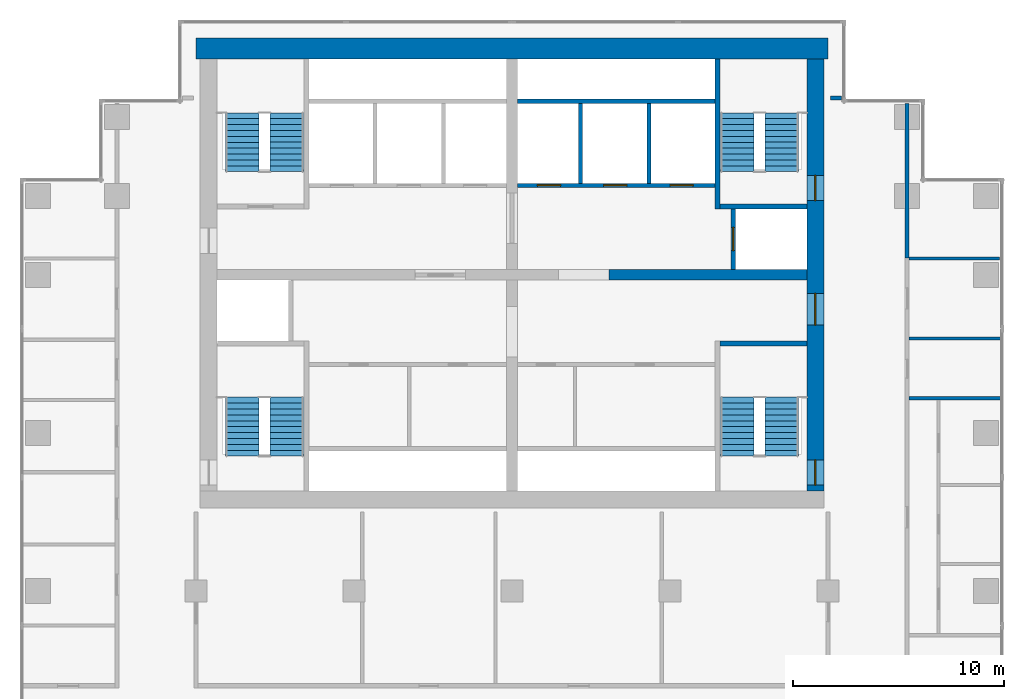
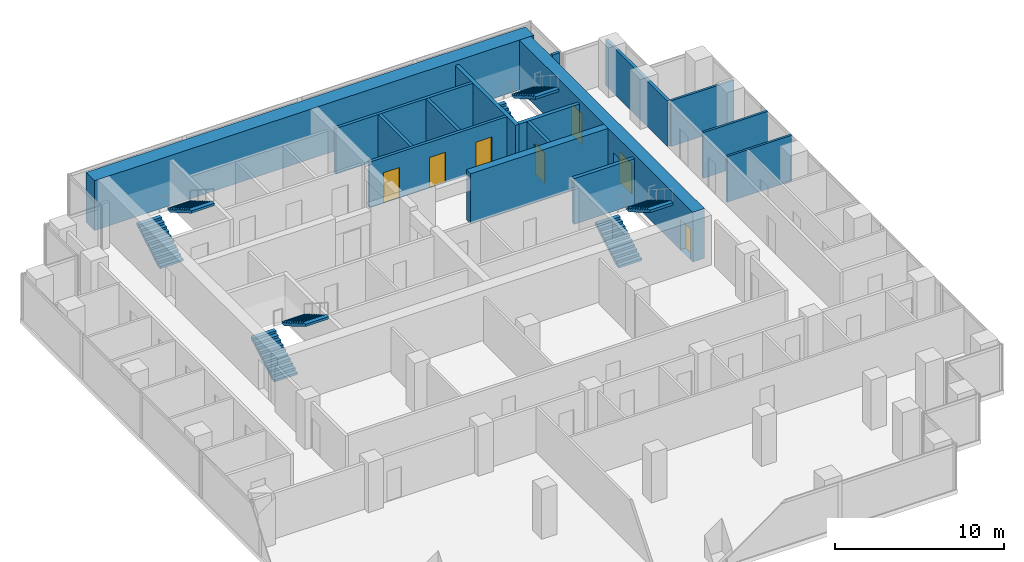
# One storey, part 9 of 10: 16 walls, 8 stair flights, 7 doors, 7 openings, 4 elements without a shape of their own.
"""IFC4 building model written with IfcOpenShell, lengths in metres."""

from ifc_helpers import new_model, si_unit, direction, frame, frame_2d, origin, place, context, subcontext, project, spatial, polyline, rectangle, outline, extrude, material, layer, layer_set, type_object, element, fill, aggregate, save


model = new_model("IFC4")

# Units and contexts
model_context = context("Model", 3, precision=1e-05, world=origin(), true_north=direction((0.0, 1.0)))
body_context = subcontext(model_context, "Body", "Model", "MODEL_VIEW")
ifc_project = project(units=[si_unit("LENGTHUNIT", "METRE"), si_unit("AREAUNIT", "SQUARE_METRE"), si_unit("VOLUMEUNIT", "CUBIC_METRE"), si_unit("PLANEANGLEUNIT", "RADIAN"), si_unit("MASSUNIT", "GRAM", prefix="KILO")], contexts=[model_context])

# Site, building, storey
site_placement = place(None, origin())
site = spatial("IfcSite", under=ifc_project, at=site_placement, CompositionType="ELEMENT")
building_placement = place(site_placement, origin())
building = spatial("IfcBuilding", under=site, at=building_placement, Name="Pilkhan Gate Tower", CompositionType="ELEMENT")
storey_placement = place(building_placement, frame((0.0, 0.0, 158.5)))
storey = spatial("IfcBuildingStorey", under=building, at=storey_placement, Name="L40", CompositionType="ELEMENT", Elevation=158.5)

# Wall
ifc_material_1 = material(Name="Concrete C60/75", Category="concrete")
ifc_layer_1 = layer(ifc_material_1, 1.0)
ifc_layer_set_1 = layer_set([ifc_layer_1], Name="Core wall CW1000 C60/75")
wall_type_1 = type_object("IfcWallType", Name="Core wall CW1000 C60/75", PredefinedType="SHEAR", material=ifc_layer_set_1)
wall_1_placement = place(storey_placement, frame((90.0, 93.25, 0.0), z_axis=(0.0, 0.0, 1.0), x_axis=(-1.0, 0.0, 0.0)))
element("IfcWall", 1, at=wall_1_placement, inside=storey, type_object=wall_type_1, Name="Core wall N L40", PredefinedType="SHEAR", context=body_context, shape_type="SweptSolid", body=[
    extrude(rectangle(XDim=30.0, YDim=1.0, at=frame_2d((15.0, 0.0))), origin(), (0.0, 0.0, 1.0), 3.60009765625),
])

# Wall, openings, doors
ifc_layer_2 = layer(ifc_material_1, 0.800048828125)
ifc_layer_set_2 = layer_set([ifc_layer_2], Name="Core wall CW800 C60/75")
wall_type_2 = type_object("IfcWallType", Name="Core wall CW800 C60/75", PredefinedType="SHEAR", material=ifc_layer_set_2)
wall_2_placement = place(storey_placement, frame((89.39990234375, 72.25, 0.0), z_axis=(0.0, 0.0, 1.0), x_axis=(0.0, 1.0, 0.0)))
wall_2 = element("IfcWall", 2, at=wall_2_placement, inside=storey, type_object=wall_type_2, Name="Core wall E L40", PredefinedType="SHEAR", context=body_context, shape_type="SweptSolid", body=[
    extrude(rectangle(XDim=20.5, YDim=0.800048828125, at=frame_2d((10.25, 0.0))), origin(), (0.0, 0.0, 1.0), 3.60009765625),
])
opening_1_placement = place(wall_2_placement, frame((0.27490234375, 0.0, 0.0)))
opening_1 = element("IfcOpeningElement", 3, at=opening_1_placement, cuts=wall_2, Name="Opening L40-03", PredefinedType="OPENING", context=body_context, shape_type="SweptSolid", body=[
    extrude(rectangle(XDim=1.199951171875, YDim=2.199951171875, at=frame_2d((0.60009765625, 1.10009765625))), frame((0.0, 0.409912109375, 0.0), z_axis=(0.0, -1.0, 0.0), x_axis=(1.0, 0.0, 0.0)), (0.0, 0.0, 1.0), 0.820068359375),
])
opening_2_placement = place(wall_2_placement, frame((13.77490234375, 0.0, 0.0)))
opening_2 = element("IfcOpeningElement", 4, at=opening_2_placement, cuts=wall_2, Name="Opening L40-05", PredefinedType="OPENING", context=body_context, shape_type="SweptSolid", body=[
    extrude(rectangle(XDim=1.199951171875, YDim=2.199951171875, at=frame_2d((0.60009765625, 1.10009765625))), frame((0.0, 0.409912109375, 0.0), z_axis=(0.0, -1.0, 0.0), x_axis=(1.0, 0.0, 0.0)), (0.0, 0.0, 1.0), 0.820068359375),
])
opening_3_placement = place(wall_2_placement, frame((7.875, 0.0, 0.0)))
opening_3 = element("IfcOpeningElement", 5, at=opening_3_placement, cuts=wall_2, Name="Opening L40-12", PredefinedType="OPENING", context=body_context, shape_type="SweptSolid", body=[
    extrude(rectangle(XDim=1.5, YDim=2.199951171875, at=frame_2d((0.75, 1.10009765625))), frame((0.0, 0.409912109375, 0.0), z_axis=(0.0, -1.0, 0.0), x_axis=(1.0, 0.0, 0.0)), (0.0, 0.0, 1.0), 0.820068359375),
])
ifc_material_2 = material(Name="Steel framed glazed door, 60 minute fire resisting", Category="steel")
door_type_1 = type_object("IfcDoorType", Name="Lobby door D09 1500x2200", OperationType="DOUBLE_DOOR_SINGLE_SWING", PredefinedType="DOOR", material=ifc_material_2)
door_1_placement = place(opening_3_placement, origin())
door_1 = element("IfcDoor", 6, at=door_1_placement, inside=storey, type_object=door_type_1, Name="Core door", OperationType="DOUBLE_DOOR_SINGLE_SWING", OverallHeight=2.199951171875, OverallWidth=1.5, PredefinedType="DOOR", context=body_context, shape_type="SweptSolid", body=[
    extrude(rectangle(XDim=1.5, YDim=2.199951171875, at=frame_2d((0.75, 1.10009765625))), frame((0.0, 0.02490234375, 0.0), z_axis=(0.0, -1.0, 0.0), x_axis=(1.0, 0.0, 0.0)), (0.0, 0.0, 1.0), 0.050048828125),
])
fill(opening_3, door_1)
ifc_material_3 = material(Name="Steel door, 120 minute fire resisting, panic bar", Category="steel")
door_type_2 = type_object("IfcDoorType", Name="Stair door D11 1200x2200", OperationType="SINGLE_SWING_LEFT", PredefinedType="DOOR", material=ifc_material_3)
door_2_placement = place(opening_1_placement, origin())
door_2 = element("IfcDoor", 7, at=door_2_placement, inside=storey, type_object=door_type_2, Name="Stair ST1 door", OperationType="SINGLE_SWING_LEFT", OverallHeight=2.199951171875, OverallWidth=1.199951171875, PredefinedType="DOOR", context=body_context, shape_type="SweptSolid", body=[
    extrude(rectangle(XDim=1.199951171875, YDim=2.199951171875, at=frame_2d((0.60009765625, 1.10009765625))), frame((0.0, 0.02490234375, 0.0), z_axis=(0.0, -1.0, 0.0), x_axis=(1.0, 0.0, 0.0)), (0.0, 0.0, 1.0), 0.050048828125),
])
fill(opening_1, door_2)
door_3_placement = place(opening_2_placement, origin())
door_3 = element("IfcDoor", 8, at=door_3_placement, inside=storey, type_object=door_type_2, Name="Stair ST4 door", OperationType="SINGLE_SWING_LEFT", OverallHeight=2.199951171875, OverallWidth=1.199951171875, PredefinedType="DOOR", context=body_context, shape_type="SweptSolid", body=[
    extrude(rectangle(XDim=1.199951171875, YDim=2.199951171875, at=frame_2d((0.60009765625, 1.10009765625))), frame((0.0, 0.02490234375, 0.0), z_axis=(0.0, -1.0, 0.0), x_axis=(1.0, 0.0, 0.0)), (0.0, 0.0, 1.0), 0.050048828125),
])
fill(opening_2, door_3)

# Walls
ifc_material_4 = material(Name="Dense blockwork", Category="masonry")
ifc_layer_3 = layer(ifc_material_4, 0.199951171875)
ifc_layer_set_3 = layer_set([ifc_layer_3], Name="Corridor wall FW200")
wall_type_3 = type_object("IfcWallType", Name="Corridor wall FW200", PredefinedType="PARTITIONING", material=ifc_layer_set_3)
wall_3_placement = place(storey_placement, frame((90.1201171875, 90.89990234375, 0.0), z_axis=(0.0, 0.0, 1.0), x_axis=(1.0, 0.0, 0.0)))
element("IfcWall", 9, at=wall_3_placement, inside=storey, type_object=wall_type_3, Name="Partition L40", PredefinedType="PARTITIONING", context=body_context, shape_type="SweptSolid", body=[
    extrude(rectangle(XDim=0.52490234375, YDim=0.199951171875, at=frame_2d((0.262451171875, 0.0))), origin(), (0.0, 0.0, 1.0), 3.300048828125),
])
wall_4_placement = place(storey_placement, frame((93.75, 83.31005859375, 0.0), z_axis=(0.0, 0.0, 1.0), x_axis=(0.0, 1.0, 0.0)))
element("IfcWall", 10, at=wall_4_placement, inside=storey, type_object=wall_type_3, Name="Partition L40", PredefinedType="PARTITIONING", context=body_context, shape_type="SweptSolid", body=[
    extrude(rectangle(XDim=7.3349609375, YDim=0.199951171875, at=frame_2d((3.66748046875, 0.0))), origin(), (0.0, 0.0, 1.0), 3.300048828125),
])
ifc_material_5 = material(Name="Blockwork partition, plastered both sides", Category="masonry")
ifc_layer_4 = layer(ifc_material_5, 0.14990234375)
ifc_layer_set_4 = layer_set([ifc_layer_4], Name="Partition PW150")
wall_type_4 = type_object("IfcWallType", Name="Partition PW150", PredefinedType="PARTITIONING", material=ifc_layer_set_4)
for number, where, z_axis, x_axis, name in (
    (11, (93.85009765625, 76.64990234375, 0.0), (0.0, 0.0, 1.0), (1.0, 0.0, 0.0), "Partition L40"),
    (12, (93.85009765625, 79.490966796875, 0.0), (0.0, 0.0, 1.0), (1.0, 0.0, 0.0), "Partition L40"),
):
    element("IfcWall", number, at=place(storey_placement, frame(where, z_axis=z_axis, x_axis=x_axis)), inside=storey, type_object=wall_type_4, Name=name, PredefinedType="PARTITIONING", context=body_context, shape_type="SweptSolid", body=[
        extrude(rectangle(XDim=4.414794921875, YDim=0.14990234375, at=frame_2d((2.20751953125, 0.0))), origin(), (0.0, 0.0, 1.0), 3.300048828125),
    ])
wall_5_placement = place(storey_placement, frame((93.85009765625, 83.280029296875, 0.0), z_axis=(0.0, 0.0, 1.0), x_axis=(1.0, 0.0, 0.0)))
element("IfcWall", 13, at=wall_5_placement, inside=storey, type_object=wall_type_4, Name="Partition L40", PredefinedType="PARTITIONING", context=body_context, shape_type="SweptSolid", body=[
    extrude(rectangle(XDim=4.294921875, YDim=0.14990234375, at=frame_2d((2.1474609375, 0.0))), origin(), (0.0, 0.0, 1.0), 3.300048828125),
])

# Wall, openings, doors
ifc_material_6 = material(Name="Reinforced blockwork shaft wall, 120 minute fire resisting", Category="masonry")
ifc_layer_5 = layer(ifc_material_6, 0.199951171875)
ifc_layer_set_5 = layer_set([ifc_layer_5], Name="Shaft wall SW200")
wall_type_5 = type_object("IfcWallType", Name="Shaft wall SW200", PredefinedType="PARTITIONING", material=ifc_layer_set_5)
wall_6_placement = place(storey_placement, frame((75.260009765625, 86.75, 0.0), z_axis=(0.0, 0.0, 1.0), x_axis=(1.0, 0.0, 0.0)))
wall_6 = element("IfcWall", 14, at=wall_6_placement, inside=storey, type_object=wall_type_5, Name="Partition L40", PredefinedType="PARTITIONING", context=body_context, shape_type="SweptSolid", body=[
    extrude(rectangle(XDim=9.364990234375, YDim=0.199951171875, at=frame_2d((4.6826171875, 0.0))), origin(), (0.0, 0.0, 1.0), 3.300048828125),
])
opening_4_placement = place(wall_6_placement, frame((0.949951171875, 0.0, 0.0)))
opening_4 = element("IfcOpeningElement", 15, at=opening_4_placement, cuts=wall_6, Name="Opening LD", PredefinedType="OPENING", context=body_context, shape_type="SweptSolid", body=[
    extrude(rectangle(XDim=1.10009765625, YDim=2.199951171875, at=frame_2d((0.550048828125, 1.10009765625))), frame((0.0, 0.10986328125, 0.0), z_axis=(0.0, -1.0, 0.0), x_axis=(1.0, 0.0, 0.0)), (0.0, 0.0, 1.0), 0.219970703125),
])
opening_5_placement = place(wall_6_placement, frame((4.090087890625, 0.0, 0.0)))
opening_5 = element("IfcOpeningElement", 16, at=opening_5_placement, cuts=wall_6, Name="Opening LD", PredefinedType="OPENING", context=body_context, shape_type="SweptSolid", body=[
    extrude(rectangle(XDim=1.10009765625, YDim=2.199951171875, at=frame_2d((0.550048828125, 1.10009765625))), frame((0.0, 0.10986328125, 0.0), z_axis=(0.0, -1.0, 0.0), x_axis=(1.0, 0.0, 0.0)), (0.0, 0.0, 1.0), 0.219970703125),
])
opening_6_placement = place(wall_6_placement, frame((7.239990234375, 0.0, 0.0)))
opening_6 = element("IfcOpeningElement", 17, at=opening_6_placement, cuts=wall_6, Name="Opening LD", PredefinedType="OPENING", context=body_context, shape_type="SweptSolid", body=[
    extrude(rectangle(XDim=1.10009765625, YDim=2.199951171875, at=frame_2d((0.550048828125, 1.10009765625))), frame((0.0, 0.10986328125, 0.0), z_axis=(0.0, -1.0, 0.0), x_axis=(1.0, 0.0, 0.0)), (0.0, 0.0, 1.0), 0.219970703125),
])
ifc_material_7 = material(Name="Stainless steel centre-opening landing door, 120 minute fire resisting", Category="steel")
door_type_3 = type_object("IfcDoorType", Name="Lift landing door LD 1100x2200", OperationType="DOUBLE_DOOR_SLIDING", PredefinedType="DOOR", material=ifc_material_7)
door_4_placement = place(opening_4_placement, origin())
door_4 = element("IfcDoor", 18, at=door_4_placement, inside=storey, type_object=door_type_3, Name="Landing door HR1", OperationType="DOUBLE_DOOR_SLIDING", OverallHeight=2.199951171875, OverallWidth=1.10009765625, PredefinedType="DOOR", context=body_context, shape_type="SweptSolid", body=[
    extrude(rectangle(XDim=1.10009765625, YDim=2.199951171875, at=frame_2d((0.550048828125, 1.10009765625))), frame((0.0, 0.02490234375, 0.0), z_axis=(0.0, -1.0, 0.0), x_axis=(1.0, 0.0, 0.0)), (0.0, 0.0, 1.0), 0.050048828125),
])
fill(opening_4, door_4)
door_5_placement = place(opening_5_placement, origin())
door_5 = element("IfcDoor", 19, at=door_5_placement, inside=storey, type_object=door_type_3, Name="Landing door HR2", OperationType="DOUBLE_DOOR_SLIDING", OverallHeight=2.199951171875, OverallWidth=1.10009765625, PredefinedType="DOOR", context=body_context, shape_type="SweptSolid", body=[
    extrude(rectangle(XDim=1.10009765625, YDim=2.199951171875, at=frame_2d((0.550048828125, 1.10009765625))), frame((0.0, 0.02490234375, 0.0), z_axis=(0.0, -1.0, 0.0), x_axis=(1.0, 0.0, 0.0)), (0.0, 0.0, 1.0), 0.050048828125),
])
fill(opening_5, door_5)
door_6_placement = place(opening_6_placement, origin())
door_6 = element("IfcDoor", 20, at=door_6_placement, inside=storey, type_object=door_type_3, Name="Landing door HR3", OperationType="DOUBLE_DOOR_SLIDING", OverallHeight=2.199951171875, OverallWidth=1.10009765625, PredefinedType="DOOR", context=body_context, shape_type="SweptSolid", body=[
    extrude(rectangle(XDim=1.10009765625, YDim=2.199951171875, at=frame_2d((0.550048828125, 1.10009765625))), frame((0.0, 0.02490234375, 0.0), z_axis=(0.0, -1.0, 0.0), x_axis=(1.0, 0.0, 0.0)), (0.0, 0.0, 1.0), 0.050048828125),
])
fill(opening_6, door_6)

# Walls
wall_7_placement = place(storey_placement, frame((75.260009765625, 90.75, 0.0), z_axis=(0.0, 0.0, 1.0), x_axis=(1.0, 0.0, 0.0)))
element("IfcWall", 21, at=wall_7_placement, inside=storey, type_object=wall_type_5, Name="Partition L40", PredefinedType="PARTITIONING", context=body_context, shape_type="SweptSolid", body=[
    extrude(rectangle(XDim=9.364990234375, YDim=0.199951171875, at=frame_2d((4.6826171875, 0.0))), origin(), (0.0, 0.0, 1.0), 3.300048828125),
])
for number, where, z_axis, x_axis, name in (
    (22, (78.25, 86.85009765625, 0.0), (0.0, 0.0, 1.0), (0.0, 1.0, 0.0), "Partition L40"),
    (23, (81.5, 86.85009765625, 0.0), (0.0, 0.0, 1.0), (0.0, 1.0, 0.0), "Partition L40"),
):
    element("IfcWall", number, at=place(storey_placement, frame(where, z_axis=z_axis, x_axis=x_axis)), inside=storey, type_object=wall_type_5, Name=name, PredefinedType="PARTITIONING", context=body_context, shape_type="SweptSolid", body=[
        extrude(rectangle(XDim=3.7998046875, YDim=0.199951171875, at=frame_2d((1.89990234375, 0.0))), origin(), (0.0, 0.0, 1.0), 3.300048828125),
    ])

# Wall, opening, door
wall_8_placement = place(storey_placement, frame((85.5, 82.760009765625, 0.0), z_axis=(0.0, 0.0, 1.0), x_axis=(0.0, 1.0, 0.0)))
wall_8 = element("IfcWall", 24, at=wall_8_placement, inside=storey, type_object=wall_type_5, Name="Partition L40", PredefinedType="PARTITIONING", context=body_context, shape_type="SweptSolid", body=[
    extrude(rectangle(XDim=2.864990234375, YDim=0.199951171875, at=frame_2d((1.4326171875, 0.0))), origin(), (0.0, 0.0, 1.0), 3.300048828125),
])
opening_7_placement = place(wall_8_placement, frame((0.89990234375, 0.0, 0.0)))
opening_7 = element("IfcOpeningElement", 25, at=opening_7_placement, cuts=wall_8, Name="Opening LD", PredefinedType="OPENING", context=body_context, shape_type="SweptSolid", body=[
    extrude(rectangle(XDim=1.10009765625, YDim=2.199951171875, at=frame_2d((0.550048828125, 1.10009765625))), frame((0.0, 0.10986328125, 0.0), z_axis=(0.0, -1.0, 0.0), x_axis=(1.0, 0.0, 0.0)), (0.0, 0.0, 1.0), 0.219970703125),
])
door_7_placement = place(opening_7_placement, origin())
door_7 = element("IfcDoor", 26, at=door_7_placement, inside=storey, type_object=door_type_3, Name="Landing door HR4", OperationType="DOUBLE_DOOR_SLIDING", OverallHeight=2.199951171875, OverallWidth=1.10009765625, PredefinedType="DOOR", context=body_context, shape_type="SweptSolid", body=[
    extrude(rectangle(XDim=1.10009765625, YDim=2.199951171875, at=frame_2d((0.550048828125, 1.10009765625))), frame((0.0, 0.02490234375, 0.0), z_axis=(0.0, -1.0, 0.0), x_axis=(1.0, 0.0, 0.0)), (0.0, 0.0, 1.0), 0.050048828125),
])
fill(opening_7, door_7)

# Walls
ifc_layer_6 = layer(ifc_material_1, 0.5)
ifc_layer_set_6 = layer_set([ifc_layer_6], Name="Spine wall SW500 C60/75")
wall_type_6 = type_object("IfcWallType", Name="Spine wall SW500 C60/75", PredefinedType="SHEAR", material=ifc_layer_set_6)
wall_9_placement = place(storey_placement, frame((79.60009765625, 82.5, 0.0), z_axis=(0.0, 0.0, 1.0), x_axis=(1.0, 0.0, 0.0)))
element("IfcWall", 27, at=wall_9_placement, inside=storey, type_object=wall_type_6, Name="Spine wall SP-EW3 L40", PredefinedType="SHEAR", context=body_context, shape_type="SweptSolid", body=[
    extrude(rectangle(XDim=9.39990234375, YDim=0.5, at=frame_2d((4.699951171875, 0.0))), origin(), (0.0, 0.0, 1.0), 3.60009765625),
])
ifc_material_8 = material(Name="Reinforced blockwork, 120 minute fire resisting", Category="masonry")
ifc_layer_7 = layer(ifc_material_8, 0.25)
ifc_layer_set_7 = layer_set([ifc_layer_7], Name="Stair enclosure wall SE250")
wall_type_7 = type_object("IfcWallType", Name="Stair enclosure wall SE250", PredefinedType="PARTITIONING", material=ifc_layer_set_7)
for number, where, z_axis, x_axis, name in (
    (28, (84.875, 79.25, 0.0), (0.0, 0.0, 1.0), (1.0, 0.0, 0.0), "Partition L40"),
    (29, (84.875, 85.75, 0.0), (0.0, 0.0, 1.0), (1.0, 0.0, 0.0), "Partition L40"),
):
    element("IfcWall", number, at=place(storey_placement, frame(where, z_axis=z_axis, x_axis=x_axis)), inside=storey, type_object=wall_type_7, Name=name, PredefinedType="PARTITIONING", context=body_context, shape_type="SweptSolid", body=[
        extrude(rectangle(XDim=4.125, YDim=0.25, at=frame_2d((2.0625, 0.0))), origin(), (0.0, 0.0, 1.0), 3.300048828125),
    ])
wall_10_placement = place(storey_placement, frame((84.75, 85.625, 0.0), z_axis=(0.0, 0.0, 1.0), x_axis=(0.0, 1.0, 0.0)))
element("IfcWall", 30, at=wall_10_placement, inside=storey, type_object=wall_type_7, Name="Partition L40", PredefinedType="PARTITIONING", context=body_context, shape_type="SweptSolid", body=[
    extrude(rectangle(XDim=7.114990234375, YDim=0.25, at=frame_2d((3.5576171875, 0.0))), origin(), (0.0, 0.0, 1.0), 3.300048828125),
])

# Stair, stair flights
ifc_material_9 = material(Name="Concrete C40/50 precast", Category="concrete")
stair_type_1 = type_object("IfcStairType", Name="Stair ST1 164x280", PredefinedType="HALF_TURN_STAIR", material=ifc_material_9)
stair_1_placement = place(storey_placement, origin())
stair_1 = element("IfcStair", 31, at=stair_1_placement, inside=storey, type_object=stair_type_1, Name="Stair ST1 L40", PredefinedType="HALF_TURN_STAIR")
stair_flight_type_1 = type_object("IfcStairFlightType", Name="Stair flight ST1 164x280x11", PredefinedType="STRAIGHT", material=ifc_material_9)
stair_flight_1_placement = place(storey_placement, frame((85.68994140625, 73.89990234375, 0.0), z_axis=(0.0, 0.0, 1.0), x_axis=(0.0, 1.0, 0.0)))
stair_flight_1 = element("IfcStairFlight", 32, at=stair_flight_1_placement, type_object=stair_flight_type_1, Name="ST1 flight 1", NumberOfRisers=11, NumberOfTreads=10, PredefinedType="STRAIGHT", RiserHeight=0.163636364, TreadLength=0.28, context=body_context, shape_type="SweptSolid", body=[
    extrude(outline(polyline([(0.0, 0.0), (0.0, 0.16357421875), (0.280029296875, 0.16357421875), (0.280029296875, 0.327392578125), (0.56005859375, 0.327392578125), (0.56005859375, 0.490966796875), (0.840087890625, 0.490966796875), (0.840087890625, 0.654541015625), (1.1201171875, 0.654541015625), (1.1201171875, 0.818115234375), (1.39990234375, 0.818115234375), (1.39990234375, 0.98193359375), (1.679931640625, 0.98193359375), (1.679931640625, 1.1455078125), (1.9599609375, 1.1455078125), (1.9599609375, 1.30908203125), (2.239990234375, 1.30908203125), (2.239990234375, 1.47265625), (2.52001953125, 1.47265625), (2.52001953125, 1.636474609375), (2.800048828125, 1.636474609375), (2.800048828125, 1.800048828125), (2.800048828125, 1.462646484375), (0.297119140625, 0.0), (0.0, 0.0)])), frame((0.0, 0.7900390625, 0.0), z_axis=(0.0, -1.0, 0.0), x_axis=(1.0, 0.0, 0.0)), (0.0, 0.0, 1.0), 1.580078125),
])
stair_flight_2_placement = place(storey_placement, frame((87.81005859375, 76.699951171875, 1.800048828125), z_axis=(0.0, 0.0, 1.0), x_axis=(0.0, -1.0, 0.0)))
stair_flight_2 = element("IfcStairFlight", 33, at=stair_flight_2_placement, type_object=stair_flight_type_1, Name="ST1 flight 2", NumberOfRisers=11, NumberOfTreads=10, PredefinedType="STRAIGHT", RiserHeight=0.163636364, TreadLength=0.28, context=body_context, shape_type="SweptSolid", body=[
    extrude(outline(polyline([(0.0, 0.0), (0.0, 0.16357421875), (0.280029296875, 0.16357421875), (0.280029296875, 0.327392578125), (0.56005859375, 0.327392578125), (0.56005859375, 0.490966796875), (0.840087890625, 0.490966796875), (0.840087890625, 0.654541015625), (1.1201171875, 0.654541015625), (1.1201171875, 0.818115234375), (1.39990234375, 0.818115234375), (1.39990234375, 0.98193359375), (1.679931640625, 0.98193359375), (1.679931640625, 1.1455078125), (1.9599609375, 1.1455078125), (1.9599609375, 1.30908203125), (2.239990234375, 1.30908203125), (2.239990234375, 1.47265625), (2.52001953125, 1.47265625), (2.52001953125, 1.636474609375), (2.800048828125, 1.636474609375), (2.800048828125, 1.800048828125), (2.800048828125, 1.462646484375), (0.297119140625, 0.0), (0.0, 0.0)])), frame((0.0, 0.7900390625, 0.0), z_axis=(0.0, -1.0, 0.0), x_axis=(1.0, 0.0, 0.0)), (0.0, 0.0, 1.0), 1.580078125),
])
aggregate(stair_1, [stair_flight_1, stair_flight_2])

stair_type_2 = type_object("IfcStairType", Name="Stair ST2 164x280", PredefinedType="HALF_TURN_STAIR", material=ifc_material_9)
stair_2_placement = place(storey_placement, origin())
stair_2 = element("IfcStair", 34, at=stair_2_placement, inside=storey, type_object=stair_type_2, Name="Stair ST2 L40", PredefinedType="HALF_TURN_STAIR")
stair_flight_type_2 = type_object("IfcStairFlightType", Name="Stair flight ST2 164x280x11", PredefinedType="STRAIGHT", material=ifc_material_9)
stair_flight_3_placement = place(storey_placement, frame((62.18994140625, 73.89990234375, 0.0), z_axis=(0.0, 0.0, 1.0), x_axis=(0.0, 1.0, 0.0)))
stair_flight_3 = element("IfcStairFlight", 35, at=stair_flight_3_placement, type_object=stair_flight_type_2, Name="ST2 flight 1", NumberOfRisers=11, NumberOfTreads=10, PredefinedType="STRAIGHT", RiserHeight=0.163636364, TreadLength=0.28, context=body_context, shape_type="SweptSolid", body=[
    extrude(outline(polyline([(0.0, 0.0), (0.0, 0.16357421875), (0.280029296875, 0.16357421875), (0.280029296875, 0.327392578125), (0.56005859375, 0.327392578125), (0.56005859375, 0.490966796875), (0.840087890625, 0.490966796875), (0.840087890625, 0.654541015625), (1.1201171875, 0.654541015625), (1.1201171875, 0.818115234375), (1.39990234375, 0.818115234375), (1.39990234375, 0.98193359375), (1.679931640625, 0.98193359375), (1.679931640625, 1.1455078125), (1.9599609375, 1.1455078125), (1.9599609375, 1.30908203125), (2.239990234375, 1.30908203125), (2.239990234375, 1.47265625), (2.52001953125, 1.47265625), (2.52001953125, 1.636474609375), (2.800048828125, 1.636474609375), (2.800048828125, 1.800048828125), (2.800048828125, 1.462646484375), (0.297119140625, 0.0), (0.0, 0.0)])), frame((0.0, 0.7900390625, 0.0), z_axis=(0.0, -1.0, 0.0), x_axis=(1.0, 0.0, 0.0)), (0.0, 0.0, 1.0), 1.580078125),
])
stair_flight_4_placement = place(storey_placement, frame((64.31005859375, 76.699951171875, 1.800048828125), z_axis=(0.0, 0.0, 1.0), x_axis=(0.0, -1.0, 0.0)))
stair_flight_4 = element("IfcStairFlight", 36, at=stair_flight_4_placement, type_object=stair_flight_type_2, Name="ST2 flight 2", NumberOfRisers=11, NumberOfTreads=10, PredefinedType="STRAIGHT", RiserHeight=0.163636364, TreadLength=0.28, context=body_context, shape_type="SweptSolid", body=[
    extrude(outline(polyline([(0.0, 0.0), (0.0, 0.16357421875), (0.280029296875, 0.16357421875), (0.280029296875, 0.327392578125), (0.56005859375, 0.327392578125), (0.56005859375, 0.490966796875), (0.840087890625, 0.490966796875), (0.840087890625, 0.654541015625), (1.1201171875, 0.654541015625), (1.1201171875, 0.818115234375), (1.39990234375, 0.818115234375), (1.39990234375, 0.98193359375), (1.679931640625, 0.98193359375), (1.679931640625, 1.1455078125), (1.9599609375, 1.1455078125), (1.9599609375, 1.30908203125), (2.239990234375, 1.30908203125), (2.239990234375, 1.47265625), (2.52001953125, 1.47265625), (2.52001953125, 1.636474609375), (2.800048828125, 1.636474609375), (2.800048828125, 1.800048828125), (2.800048828125, 1.462646484375), (0.297119140625, 0.0), (0.0, 0.0)])), frame((0.0, 0.7900390625, 0.0), z_axis=(0.0, -1.0, 0.0), x_axis=(1.0, 0.0, 0.0)), (0.0, 0.0, 1.0), 1.580078125),
])
aggregate(stair_2, [stair_flight_3, stair_flight_4])

stair_type_3 = type_object("IfcStairType", Name="Stair ST3 164x280", PredefinedType="HALF_TURN_STAIR", material=ifc_material_9)
stair_3_placement = place(storey_placement, origin())
stair_3 = element("IfcStair", 37, at=stair_3_placement, inside=storey, type_object=stair_type_3, Name="Stair ST3 L40", PredefinedType="HALF_TURN_STAIR")
stair_flight_type_3 = type_object("IfcStairFlightType", Name="Stair flight ST3 164x280x11", PredefinedType="STRAIGHT", material=ifc_material_9)
stair_flight_5_placement = place(storey_placement, frame((62.18994140625, 87.39990234375, 0.0), z_axis=(0.0, 0.0, 1.0), x_axis=(0.0, 1.0, 0.0)))
stair_flight_5 = element("IfcStairFlight", 38, at=stair_flight_5_placement, type_object=stair_flight_type_3, Name="ST3 flight 1", NumberOfRisers=11, NumberOfTreads=10, PredefinedType="STRAIGHT", RiserHeight=0.163636364, TreadLength=0.28, context=body_context, shape_type="SweptSolid", body=[
    extrude(outline(polyline([(0.0, 0.0), (0.0, 0.16357421875), (0.280029296875, 0.16357421875), (0.280029296875, 0.327392578125), (0.56005859375, 0.327392578125), (0.56005859375, 0.490966796875), (0.840087890625, 0.490966796875), (0.840087890625, 0.654541015625), (1.1201171875, 0.654541015625), (1.1201171875, 0.818115234375), (1.39990234375, 0.818115234375), (1.39990234375, 0.98193359375), (1.679931640625, 0.98193359375), (1.679931640625, 1.1455078125), (1.9599609375, 1.1455078125), (1.9599609375, 1.30908203125), (2.239990234375, 1.30908203125), (2.239990234375, 1.47265625), (2.52001953125, 1.47265625), (2.52001953125, 1.636474609375), (2.800048828125, 1.636474609375), (2.800048828125, 1.800048828125), (2.800048828125, 1.462646484375), (0.297119140625, 0.0), (0.0, 0.0)])), frame((0.0, 0.7900390625, 0.0), z_axis=(0.0, -1.0, 0.0), x_axis=(1.0, 0.0, 0.0)), (0.0, 0.0, 1.0), 1.580078125),
])
stair_flight_6_placement = place(storey_placement, frame((64.31005859375, 90.199951171875, 1.800048828125), z_axis=(0.0, 0.0, 1.0), x_axis=(0.0, -1.0, 0.0)))
stair_flight_6 = element("IfcStairFlight", 39, at=stair_flight_6_placement, type_object=stair_flight_type_3, Name="ST3 flight 2", NumberOfRisers=11, NumberOfTreads=10, PredefinedType="STRAIGHT", RiserHeight=0.163636364, TreadLength=0.28, context=body_context, shape_type="SweptSolid", body=[
    extrude(outline(polyline([(0.0, 0.0), (0.0, 0.16357421875), (0.280029296875, 0.16357421875), (0.280029296875, 0.327392578125), (0.56005859375, 0.327392578125), (0.56005859375, 0.490966796875), (0.840087890625, 0.490966796875), (0.840087890625, 0.654541015625), (1.1201171875, 0.654541015625), (1.1201171875, 0.818115234375), (1.39990234375, 0.818115234375), (1.39990234375, 0.98193359375), (1.679931640625, 0.98193359375), (1.679931640625, 1.1455078125), (1.9599609375, 1.1455078125), (1.9599609375, 1.30908203125), (2.239990234375, 1.30908203125), (2.239990234375, 1.47265625), (2.52001953125, 1.47265625), (2.52001953125, 1.636474609375), (2.800048828125, 1.636474609375), (2.800048828125, 1.800048828125), (2.800048828125, 1.462646484375), (0.297119140625, 0.0), (0.0, 0.0)])), frame((0.0, 0.7900390625, 0.0), z_axis=(0.0, -1.0, 0.0), x_axis=(1.0, 0.0, 0.0)), (0.0, 0.0, 1.0), 1.580078125),
])
aggregate(stair_3, [stair_flight_5, stair_flight_6])

stair_type_4 = type_object("IfcStairType", Name="Stair ST4 164x280", PredefinedType="HALF_TURN_STAIR", material=ifc_material_9)
stair_4_placement = place(storey_placement, origin())
stair_4 = element("IfcStair", 40, at=stair_4_placement, inside=storey, type_object=stair_type_4, Name="Stair ST4 L40", PredefinedType="HALF_TURN_STAIR")
stair_flight_type_4 = type_object("IfcStairFlightType", Name="Stair flight ST4 164x280x11", PredefinedType="STRAIGHT", material=ifc_material_9)
stair_flight_7_placement = place(storey_placement, frame((85.68994140625, 87.39990234375, 0.0), z_axis=(0.0, 0.0, 1.0), x_axis=(0.0, 1.0, 0.0)))
stair_flight_7 = element("IfcStairFlight", 41, at=stair_flight_7_placement, type_object=stair_flight_type_4, Name="ST4 flight 1", NumberOfRisers=11, NumberOfTreads=10, PredefinedType="STRAIGHT", RiserHeight=0.163636364, TreadLength=0.28, context=body_context, shape_type="SweptSolid", body=[
    extrude(outline(polyline([(0.0, 0.0), (0.0, 0.16357421875), (0.280029296875, 0.16357421875), (0.280029296875, 0.327392578125), (0.56005859375, 0.327392578125), (0.56005859375, 0.490966796875), (0.840087890625, 0.490966796875), (0.840087890625, 0.654541015625), (1.1201171875, 0.654541015625), (1.1201171875, 0.818115234375), (1.39990234375, 0.818115234375), (1.39990234375, 0.98193359375), (1.679931640625, 0.98193359375), (1.679931640625, 1.1455078125), (1.9599609375, 1.1455078125), (1.9599609375, 1.30908203125), (2.239990234375, 1.30908203125), (2.239990234375, 1.47265625), (2.52001953125, 1.47265625), (2.52001953125, 1.636474609375), (2.800048828125, 1.636474609375), (2.800048828125, 1.800048828125), (2.800048828125, 1.462646484375), (0.297119140625, 0.0), (0.0, 0.0)])), frame((0.0, 0.7900390625, 0.0), z_axis=(0.0, -1.0, 0.0), x_axis=(1.0, 0.0, 0.0)), (0.0, 0.0, 1.0), 1.580078125),
])
stair_flight_8_placement = place(storey_placement, frame((87.81005859375, 90.199951171875, 1.800048828125), z_axis=(0.0, 0.0, 1.0), x_axis=(0.0, -1.0, 0.0)))
stair_flight_8 = element("IfcStairFlight", 42, at=stair_flight_8_placement, type_object=stair_flight_type_4, Name="ST4 flight 2", NumberOfRisers=11, NumberOfTreads=10, PredefinedType="STRAIGHT", RiserHeight=0.163636364, TreadLength=0.28, context=body_context, shape_type="SweptSolid", body=[
    extrude(outline(polyline([(0.0, 0.0), (0.0, 0.16357421875), (0.280029296875, 0.16357421875), (0.280029296875, 0.327392578125), (0.56005859375, 0.327392578125), (0.56005859375, 0.490966796875), (0.840087890625, 0.490966796875), (0.840087890625, 0.654541015625), (1.1201171875, 0.654541015625), (1.1201171875, 0.818115234375), (1.39990234375, 0.818115234375), (1.39990234375, 0.98193359375), (1.679931640625, 0.98193359375), (1.679931640625, 1.1455078125), (1.9599609375, 1.1455078125), (1.9599609375, 1.30908203125), (2.239990234375, 1.30908203125), (2.239990234375, 1.47265625), (2.52001953125, 1.47265625), (2.52001953125, 1.636474609375), (2.800048828125, 1.636474609375), (2.800048828125, 1.800048828125), (2.800048828125, 1.462646484375), (0.297119140625, 0.0), (0.0, 0.0)])), frame((0.0, 0.7900390625, 0.0), z_axis=(0.0, -1.0, 0.0), x_axis=(1.0, 0.0, 0.0)), (0.0, 0.0, 1.0), 1.580078125),
])
aggregate(stair_4, [stair_flight_7, stair_flight_8])

save(model, "model.ifc")
